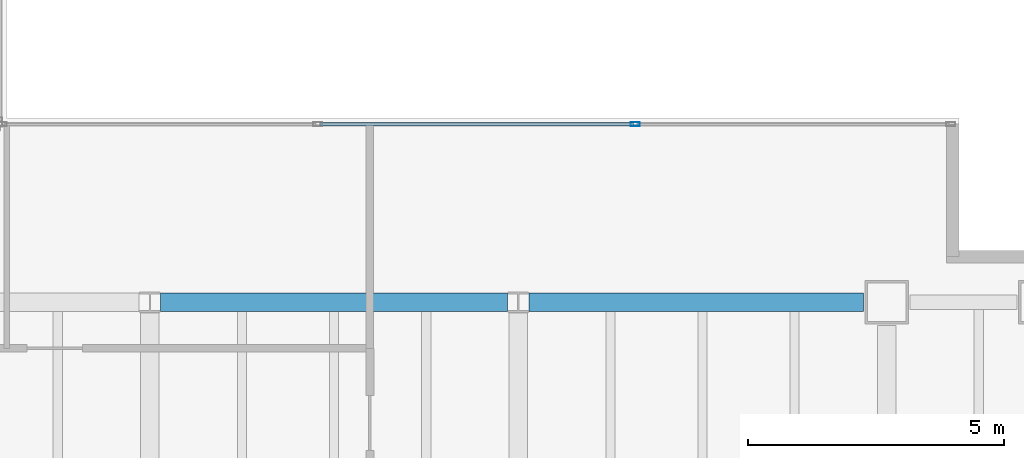
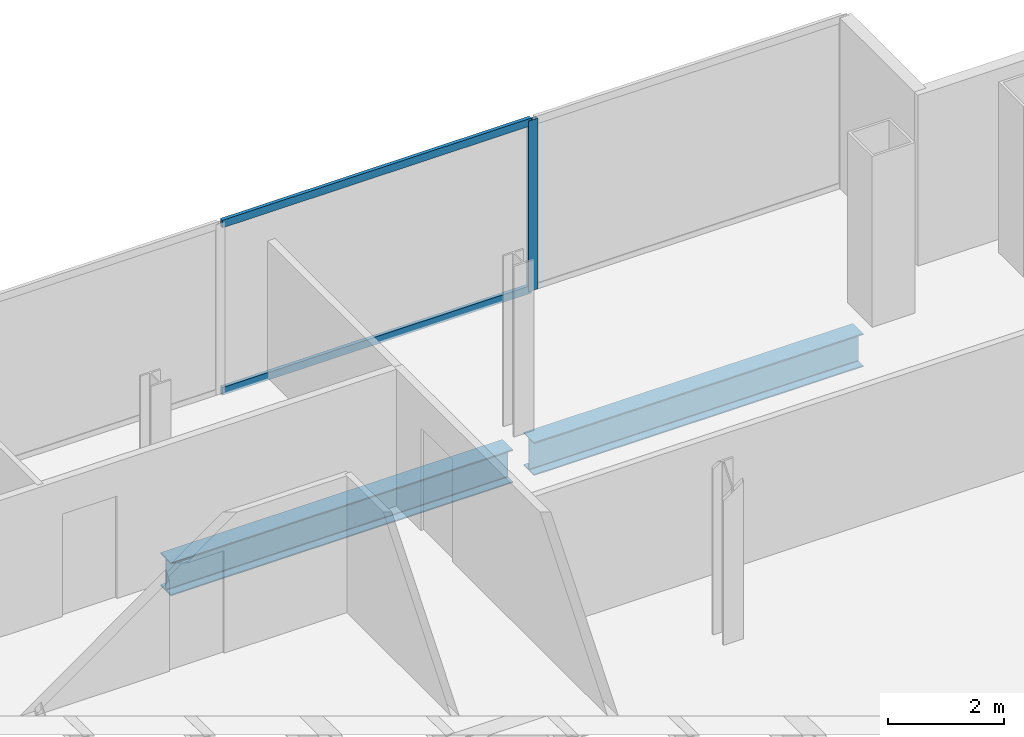
# One storey, part 14 of 23: 3 members, 2 beams, 1 element without a shape of its own.
"""IFC4 building model written with IfcOpenShell, lengths in metres."""

from ifc_helpers import new_model, si_unit, direction, frame, origin, origin_2d, place, context, subcontext, project, spatial, hollow_rectangle, i_section, extrude, material, material_profile, profile_set, type_object, element, aggregate, save


model = new_model("IFC4")

# Units and contexts
model_context = context("Model", 3, precision=1e-05, world=origin(), true_north=direction((0.0, 1.0)))
body_context = subcontext(model_context, "Body", "Model", "MODEL_VIEW")
ifc_project = project(units=[si_unit("LENGTHUNIT", "METRE"), si_unit("AREAUNIT", "SQUARE_METRE"), si_unit("VOLUMEUNIT", "CUBIC_METRE"), si_unit("PLANEANGLEUNIT", "RADIAN"), si_unit("MASSUNIT", "GRAM", prefix="KILO")], contexts=[model_context])

# Site, building, storey
site_placement = place(None, origin())
site = spatial("IfcSite", under=ifc_project, at=site_placement, CompositionType="ELEMENT")
building_placement = place(site_placement, origin())
building = spatial("IfcBuilding", under=site, at=building_placement, Name="Cobrela Telecom Tower", CompositionType="ELEMENT")
storey_placement = place(building_placement, frame((0.0, 0.0, 148.39990234375)))
storey = spatial("IfcBuildingStorey", under=building, at=storey_placement, Name="L37", CompositionType="ELEMENT", Elevation=148.39990234375)

# Beams
ifc_material_1 = material(Name="Steel ASTM A992 Grade 50", Category="steel")
ifc_material_profile_1 = material_profile(ifc_material_1, i_section(OverallWidth=0.35595703125, OverallDepth=0.696044921875, WebThickness=0.015380859375, FlangeThickness=0.024658203125, FilletRadius=0.01806640625, at=origin_2d()), Name="W27X146")
ifc_profile_set_1 = profile_set([ifc_material_profile_1], Name="Steel ASTM A992 Grade 50")
beam_type = type_object("IfcBeamType", Name="BM-GIRD-05", PredefinedType="USERDEFINED", material=ifc_profile_set_1)
beam_1_placement = place(storey_placement, frame((29.009521484375, 21.60009765625, -0.617919921875), z_axis=(1.0, 0.0, 0.0), x_axis=(0.0, 1.0, 0.0)))
element("IfcBeam", 1, at=beam_1_placement, inside=storey, type_object=beam_type, Name="L37 Primary Girder X20", ObjectType="GIRDER", PredefinedType="USERDEFINED", context=body_context, shape_type="SweptSolid", body=[
    extrude(i_section(OverallWidth=0.35595703125, OverallDepth=0.696044921875, WebThickness=0.015380859375, FlangeThickness=0.024658203125, FilletRadius=0.01806640625, at=origin_2d()), origin(), (0.0, 0.0, 1.0), 6.781005859375),
])
beam_2_placement = place(storey_placement, frame((36.20947265625, 21.60009765625, -0.617919921875), z_axis=(1.0, 0.0, 0.0), x_axis=(0.0, 1.0, 0.0)))
element("IfcBeam", 2, at=beam_2_placement, inside=storey, type_object=beam_type, Name="L37 Primary Girder X21", ObjectType="GIRDER", PredefinedType="USERDEFINED", context=body_context, shape_type="SweptSolid", body=[
    extrude(i_section(OverallWidth=0.35595703125, OverallDepth=0.696044921875, WebThickness=0.015380859375, FlangeThickness=0.024658203125, FilletRadius=0.01806640625, at=origin_2d()), origin(), (0.0, 0.0, 1.0), 6.53564453125),
])

# Curtain wall, members
ifc_material_2 = material(Name="Anodized Bronze Aluminium 6063-T6", Category="aluminium")
curtain_wall_type = type_object("IfcCurtainWallType", Name="CW-SYS-TEL", PredefinedType="USERDEFINED", material=ifc_material_2)
curtain_wall_placement = place(storey_placement, origin())
curtain_wall = element("IfcCurtainWall", 3, at=curtain_wall_placement, inside=storey, type_object=curtain_wall_type, Name="L37 Unitised Bronze Curtain Wall 11", ObjectType="UNITISED CURTAIN WALL", PredefinedType="USERDEFINED")
ifc_material_profile_2 = material_profile(ifc_material_2, hollow_rectangle(XDim=0.074951171875, YDim=0.179931640625, WallThickness=0.00390625, at=origin_2d()), Name="ALU 75x180x4")
ifc_profile_set_2 = profile_set([ifc_material_profile_2], Name="Anodized Bronze Aluminium 6063-T6")
member_type_1 = type_object("IfcMemberType", Name="CW-SYS-TEL-MUL", PredefinedType="MULLION", material=ifc_profile_set_2)
member_1_placement = place(storey_placement, frame((38.28662109375, 25.080078125, 0.0), z_axis=(0.0, 0.0, 1.0), x_axis=(0.0, 1.0, 0.0)))
member_1 = element("IfcMember", 4, at=member_1_placement, type_object=member_type_1, Name="CW-TEL mullion 3", PredefinedType="MULLION", context=body_context, shape_type="SweptSolid", body=[
    extrude(hollow_rectangle(XDim=0.074951171875, YDim=0.179931640625, WallThickness=0.00390625, at=origin_2d()), origin(), (0.0, 0.0, 1.0), 3.580078125),
])
ifc_material_profile_3 = material_profile(ifc_material_2, hollow_rectangle(XDim=0.070068359375, YDim=0.159912109375, WallThickness=0.00390625, at=origin_2d()), Name="ALU 70x160x4")
ifc_profile_set_3 = profile_set([ifc_material_profile_3], Name="Anodized Bronze Aluminium 6063-T6")
member_type_2 = type_object("IfcMemberType", Name="CW-SYS-TEL-TRN", PredefinedType="USERDEFINED", material=ifc_profile_set_3)
member_2_placement = place(storey_placement, frame((32.120849609375, 25.080078125, 0.03515625), z_axis=(1.0, 0.0, 0.0), x_axis=(0.0, 1.0, 0.0)))
member_2 = element("IfcMember", 5, at=member_2_placement, type_object=member_type_2, Name="CW-TEL transom 2.1", ObjectType="TRANSOM", PredefinedType="USERDEFINED", context=body_context, shape_type="SweptSolid", body=[
    extrude(hollow_rectangle(XDim=0.070068359375, YDim=0.159912109375, WallThickness=0.00390625, at=origin_2d()), origin(), (0.0, 0.0, 1.0), 6.12841796875),
])
member_3_placement = place(storey_placement, frame((32.120849609375, 25.080078125, 3.545166015625), z_axis=(1.0, 0.0, 0.0), x_axis=(0.0, 1.0, 0.0)))
member_3 = element("IfcMember", 6, at=member_3_placement, type_object=member_type_2, Name="CW-TEL transom 2.2", ObjectType="TRANSOM", PredefinedType="USERDEFINED", context=body_context, shape_type="SweptSolid", body=[
    extrude(hollow_rectangle(XDim=0.070068359375, YDim=0.159912109375, WallThickness=0.00390625, at=origin_2d()), origin(), (0.0, 0.0, 1.0), 6.12841796875),
])
aggregate(curtain_wall, [member_1, member_2, member_3])

save(model, "model.ifc")
